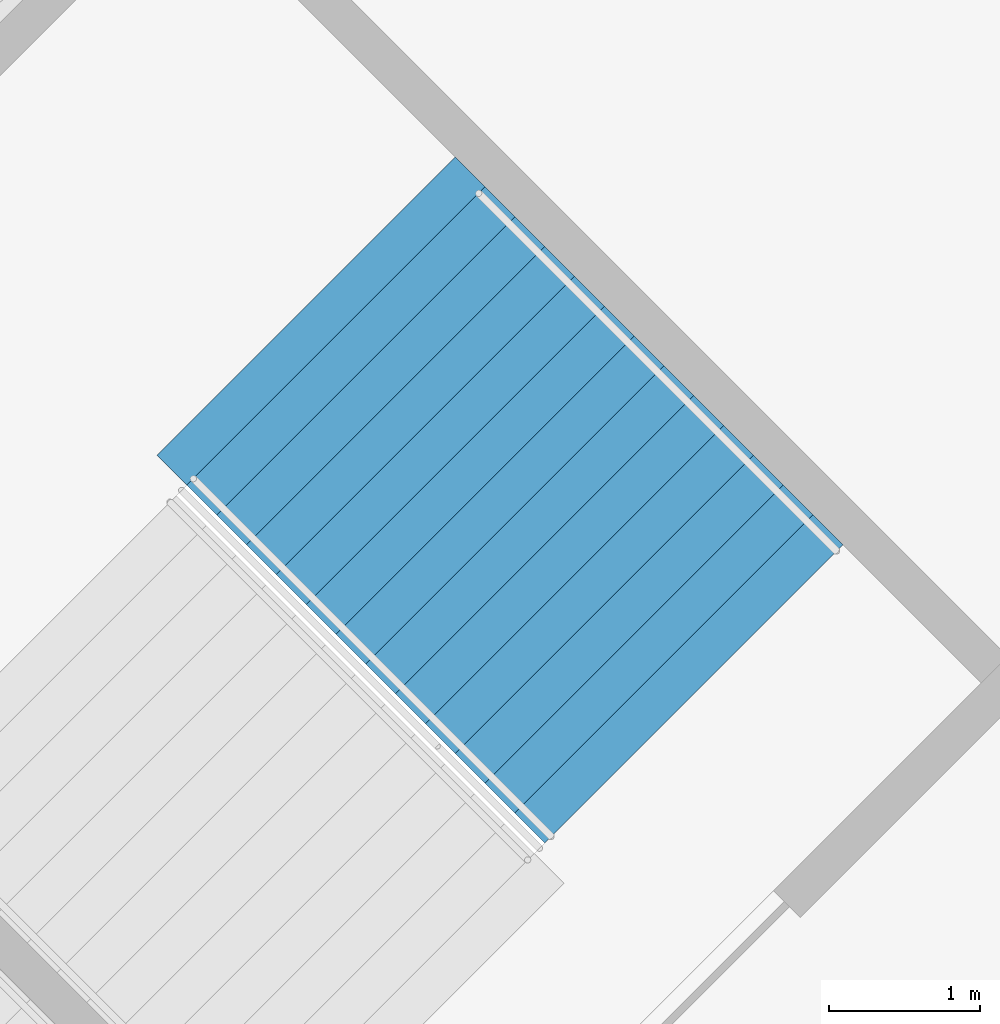
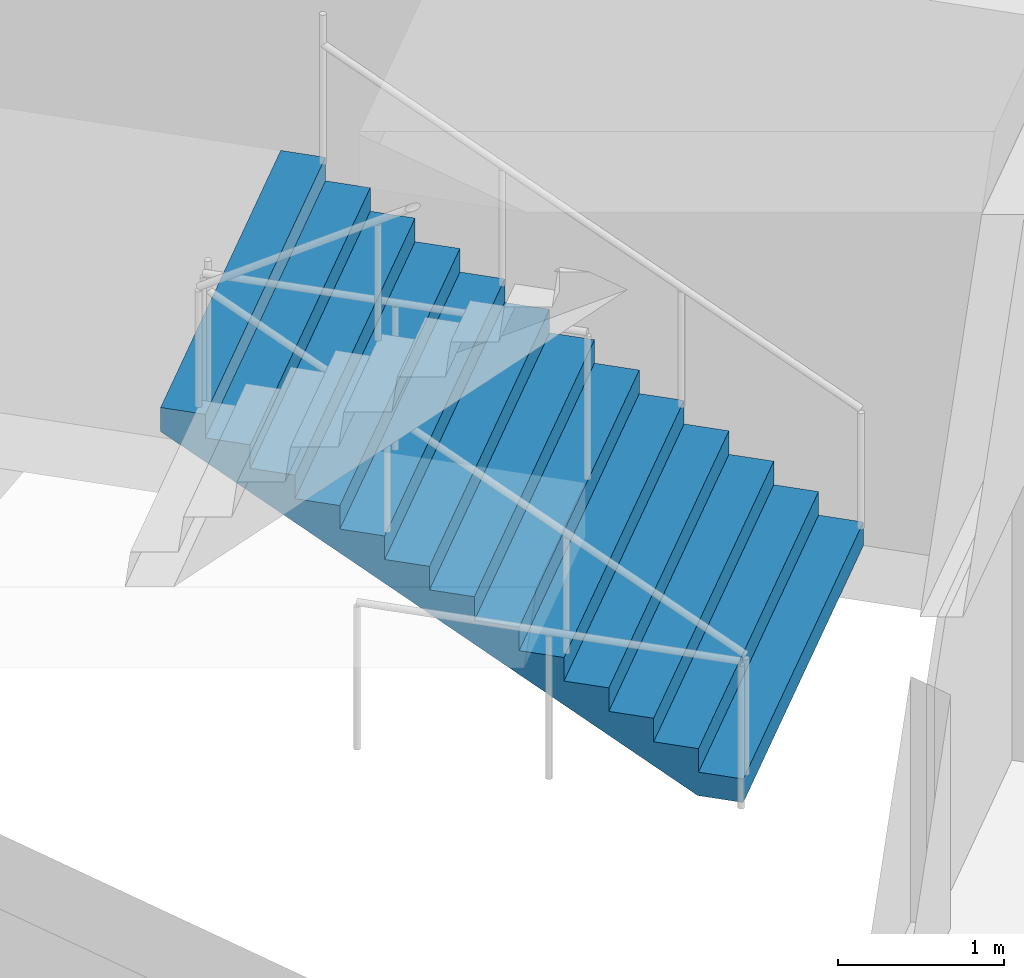
# One storey, part 200 of 249: 1 stair flight, 1 element without a shape of its own.
"""IFC4 building model written with IfcOpenShell, lengths in metres."""

import ifcopenshell
import ifcopenshell.guid

model = None  # the IFC model being written
_history = None  # IfcOwnerHistory: only IFC2X3 demands one
_inside = {}  # id of a spatial element -> (the spatial element, [elements in it])
_under = {}  # id of a project, library or spatial element -> (it, [spatial elements below it])
_declared = {}  # id of a project -> (the project, [libraries it declares])
_typed = {}  # id of a type object -> (the type object, [elements of that type])
_made_of = {}  # id of a material, layer set ... -> (it, [elements and type objects made of it])


def new_model(schema):
    """Start an empty IFC model of exactly this schema.

    Asked for "IFC4X3", IfcOpenShell would pick the latest addendum, in which some entities
    have other attributes; the version numbers below select the first issue.
    IFC2X3 requires an IfcOwnerHistory on every rooted entity: one is made here for all.
    """
    global model, _history
    if schema == "IFC4X3":
        model = ifcopenshell.file(schema_version=(4, 3, 0, 0))
    else:
        model = ifcopenshell.file(schema=schema)
    _inside.clear()
    _under.clear()
    _declared.clear()
    _typed.clear()
    _made_of.clear()
    _history = None
    if model.schema == "IFC2X3":
        org = make("IfcOrganization", Name="unknown")
        user = make(
            "IfcPersonAndOrganization",
            ThePerson=make("IfcPerson", FamilyName="unknown"),
            TheOrganization=org,
        )
        app = make(
            "IfcApplication",
            ApplicationDeveloper=org,
            Version="unknown",
            ApplicationFullName="unknown",
            ApplicationIdentifier="unknown",
        )
        _history = make(
            "IfcOwnerHistory",
            OwningUser=user,
            OwningApplication=app,
            ChangeAction="ADDED",
            CreationDate=0,
        )
    return model


def make(cls, **values):
    """One entity of the class cls with the attributes given. An attribute that is None is left unset."""
    return model.create_entity(
        cls, **{name: value for name, value in values.items() if value is not None}
    )


def rooted(cls, **values):
    """An entity with a GlobalId (a new one), such as an element, a storey or a relation."""
    return make(cls, GlobalId=ifcopenshell.guid.new(), OwnerHistory=_history, **values)


def si_unit(unit_type, name, prefix=None):
    """IfcSIUnit, for example si_unit("LENGTHUNIT", "METRE", prefix="MILLI")."""
    return make("IfcSIUnit", UnitType=unit_type, Prefix=prefix, Name=name)


def assignment(units):
    """IfcUnitAssignment: the units of a project."""
    return None if units is None else make("IfcUnitAssignment", Units=units)


def point(xyz):
    """IfcCartesianPoint."""
    return None if xyz is None else make("IfcCartesianPoint", Coordinates=xyz)


def direction(xyz):
    """IfcDirection."""
    return None if xyz is None else make("IfcDirection", DirectionRatios=xyz)


def frame(location, z_axis=None, x_axis=None):
    """IfcAxis2Placement3D, a coordinate frame: its origin and axes. An axis left out is left unset."""
    return make(
        "IfcAxis2Placement3D",
        Location=point(location),
        Axis=direction(z_axis),
        RefDirection=direction(x_axis),
    )


def origin():
    """The frame at (0, 0, 0) with its axes left unset."""
    return frame((0.0, 0.0, 0.0))


def place(relative_to, where):
    """IfcLocalPlacement: puts the frame where relative to a parent placement (None: the world)."""
    return make(
        "IfcLocalPlacement", PlacementRelTo=relative_to, RelativePlacement=where
    )


def context(
    kind, dimensions, precision=None, world=None, true_north=None, identifier=None
):
    """IfcGeometricRepresentationContext, for example the 3D "Model" context."""
    return make(
        "IfcGeometricRepresentationContext",
        ContextIdentifier=identifier,
        ContextType=kind,
        CoordinateSpaceDimension=dimensions,
        Precision=precision,
        WorldCoordinateSystem=world,
        TrueNorth=true_north,
    )


def subcontext(parent, identifier, kind, view, scale=None):
    """IfcGeometricRepresentationSubContext, for example "Body" below "Model"."""
    return make(
        "IfcGeometricRepresentationSubContext",
        ContextIdentifier=identifier,
        ContextType=kind,
        ParentContext=parent,
        TargetScale=scale,
        TargetView=view,
    )


def project(units=None, contexts=None):
    """IfcProject with its units and contexts."""
    return rooted(
        "IfcProject",
        Name="project",
        RepresentationContexts=contexts,
        UnitsInContext=assignment(units),
    )


def spatial(cls, under=None, at=None, **own):
    """A site, building, storey or space (cls), placed at a placement, below another one or the project."""
    s = rooted(cls, ObjectPlacement=at, **own)
    if under is not None:
        _under.setdefault(under.id(), (under, []))[1].append(s)
    return s


def faces_of(points, faces, orient=None, outer=None):
    """IfcFace entities. A face is a list of loops; a loop is a list of indices into points, from 0.

    orient and outer hold one flag for each loop. By default every Orientation is true, the
    first loop of a face is its IfcFaceOuterBound and the others are IfcFaceBound.
    """
    made = []
    for i, loops in enumerate(faces):
        bounds = []
        for j, loop in enumerate(loops):
            is_outer = j == 0 if outer is None else outer[i][j]
            bounds.append(
                make(
                    "IfcFaceOuterBound" if is_outer else "IfcFaceBound",
                    Bound=make("IfcPolyLoop", Polygon=[points[k] for k in loop]),
                    Orientation=True if orient is None else orient[i][j],
                )
            )
        made.append(make("IfcFace", Bounds=bounds))
    return made


def faceted_brep(points, faces, orient=None, outer=None, voids=None):
    """IfcFacetedBrep: a solid bounded by flat faces; with voids (closed shells), ...WithVoids."""
    shared = [point(p) for p in points]
    hull = make("IfcClosedShell", CfsFaces=faces_of(shared, faces, orient, outer))
    if voids is None:
        return make("IfcFacetedBrep", Outer=hull)
    return make(
        "IfcFacetedBrepWithVoids",
        Outer=hull,
        Voids=[
            make(cls, CfsFaces=faces_of(shared, fs, o, b)) for cls, fs, o, b in voids
        ],
    )


def shape(context_of_items, identifier, shape_type, items):
    """IfcShapeRepresentation: the items that make up one representation, for example the "Body"."""
    return make(
        "IfcShapeRepresentation",
        ContextOfItems=context_of_items,
        RepresentationIdentifier=identifier,
        RepresentationType=shape_type,
        Items=items,
    )


def material(Name=None, Category=None):
    """IfcMaterial."""
    return make("IfcMaterial", Name=Name, Category=Category)


def made_of(thing, what):
    """Note that an element or type object is made of a material, layer set ...; save() writes the relation."""
    if what is not None:
        _made_of.setdefault(what.id(), (what, []))[1].append(thing)
    return thing


def type_object(cls, material=None, **own):
    """A type object (cls), such as IfcWallType, which elements share."""
    return made_of(rooted(cls, **own), material)


def element(
    cls,
    number,
    at=None,
    inside=None,
    cuts=None,
    type_object=None,
    material=None,
    context=None,
    identifier="Body",
    shape_type=None,
    held_by="IfcProductDefinitionShape",
    body=None,
    shapes=None,
    **own,
):
    """One element of the class cls, such as IfcWall. Its Tag is "e" and its number.

    at: its placement. inside: the storey or other place that contains it. cuts: it is an
    opening in that element (IfcRelVoidsElement). A single representation is given by context,
    identifier, shape_type and body (its items); several are given by shapes. held_by: the class
    of the entity that holds the representations. save() writes the other relations.
    """
    e = rooted(cls, Tag="e%d" % number, ObjectPlacement=at, **own)
    if body is not None:
        shapes = [shape(context, identifier, shape_type, body)]
    if shapes is not None:
        e.Representation = make(held_by, Representations=shapes)
    if inside is not None:
        _inside.setdefault(inside.id(), (inside, []))[1].append(e)
    if cuts is not None:
        rooted(
            "IfcRelVoidsElement", RelatingBuildingElement=cuts, RelatedOpeningElement=e
        )
    if type_object is not None:
        _typed.setdefault(type_object.id(), (type_object, []))[1].append(e)
    return made_of(e, material)


def aggregate(whole, parts):
    """IfcRelAggregates: a whole, such as a stair, and the parts it consists of."""
    return rooted("IfcRelAggregates", RelatingObject=whole, RelatedObjects=parts)


def save(model, path):
    """Write the relations noted so far, then the file.

    IfcRelAggregates (storeys below a building ...), IfcRelContainedInSpatialStructure (elements
    in a storey), IfcRelDefinesByType, IfcRelAssociatesMaterial and IfcRelDeclares: one each for
    every whole, place, type object, material and project.
    """
    for whole, parts in _under.values():
        aggregate(whole, parts)
    for where, things in _inside.values():
        rooted(
            "IfcRelContainedInSpatialStructure",
            RelatedElements=things,
            RelatingStructure=where,
        )
    for kind, things in _typed.values():
        rooted("IfcRelDefinesByType", RelatedObjects=things, RelatingType=kind)
    for what, things in _made_of.values():
        rooted("IfcRelAssociatesMaterial", RelatedObjects=things, RelatingMaterial=what)
    for by, libraries in _declared.values():
        rooted("IfcRelDeclares", RelatingContext=by, RelatedDefinitions=libraries)
    model.write(path)


model = new_model("IFC4")

# Units and contexts
model_context = context("Model", 3, precision=1e-05, world=origin(), true_north=direction((0.0, 1.0)))
body_context = subcontext(model_context, "Body", "Model", "MODEL_VIEW")
ifc_project = project(units=[si_unit("LENGTHUNIT", "METRE"), si_unit("AREAUNIT", "SQUARE_METRE"), si_unit("VOLUMEUNIT", "CUBIC_METRE"), si_unit("PLANEANGLEUNIT", "RADIAN"), si_unit("MASSUNIT", "GRAM", prefix="KILO")], contexts=[model_context])

# Site, building, storey
site_placement = place(None, origin())
site = spatial("IfcSite", under=ifc_project, at=site_placement, CompositionType="ELEMENT")
building_placement = place(site_placement, origin())
building = spatial("IfcBuilding", under=site, at=building_placement, Name="Ogive Plaza Stadium", CompositionType="ELEMENT")
storey_placement = place(building_placement, frame((0.0, 0.0, 13.5)))
storey = spatial("IfcBuildingStorey", under=building, at=storey_placement, Name="L03", CompositionType="ELEMENT", Elevation=13.5)

# Stair, stair flight
ifc_material_1 = material(Name="Concrete C40/50", Category="concrete")
stair_type = type_object("IfcStairType", Name="Exit stair", PredefinedType="STRAIGHT_RUN_STAIR", material=ifc_material_1)
stair_placement = place(storey_placement, origin())
stair = element("IfcStair", 1, at=stair_placement, inside=storey, type_object=stair_type, Name="Exit stair ST30A L03 to L04", PredefinedType="STRAIGHT_RUN_STAIR")
ifc_material_2 = material(Name="Concrete C40/50", Category="concrete")
stair_flight_type = type_object("IfcStairFlightType", Name="Exit stair flight", PredefinedType="STRAIGHT", material=ifc_material_2)
stair_flight_placement = place(storey_placement, frame((-60.817138671875, 85.574951171875, 0.0), z_axis=(0.0, 0.0, 1.0), x_axis=(-0.707106781187, 0.707106781187, 0.0)))
stair_flight = element("IfcStairFlight", 2, at=stair_flight_placement, type_object=stair_flight_type, Name="ST30A flight 1", NumberOfRisers=13, NumberOfTreads=12, PredefinedType="STRAIGHT", RiserHeight=0.173076923, TreadLength=0.28, context=body_context, shape_type="Brep", body=[
    faceted_brep([(0.28515625, -1.39990234375, 0.0), (3.639892578125, -1.39990234375, 2.07373046875), (3.639892578125, -1.39990234375, 2.25), (3.360107421875, -1.39990234375, 2.25), (3.360107421875, -1.39990234375, 2.076904296875), (3.080078125, -1.39990234375, 2.076904296875), (3.080078125, -1.39990234375, 1.90380859375), (2.800048828125, -1.39990234375, 1.90380859375), (2.800048828125, -1.39990234375, 1.730712890625), (2.52001953125, -1.39990234375, 1.730712890625), (2.52001953125, -1.39990234375, 1.5576171875), (2.239990234375, -1.39990234375, 1.5576171875), (2.239990234375, -1.39990234375, 1.384521484375), (1.9599609375, -1.39990234375, 1.384521484375), (1.9599609375, -1.39990234375, 1.21142578125), (1.679931640625, -1.39990234375, 1.21142578125), (1.679931640625, -1.39990234375, 1.03857421875), (1.39990234375, -1.39990234375, 1.03857421875), (1.39990234375, -1.39990234375, 0.865478515625), (1.1201171875, -1.39990234375, 0.865478515625), (1.1201171875, -1.39990234375, 0.6923828125), (0.840087890625, -1.39990234375, 0.6923828125), (0.840087890625, -1.39990234375, 0.519287109375), (0.56005859375, -1.39990234375, 0.519287109375), (0.56005859375, -1.39990234375, 0.34619140625), (0.280029296875, -1.39990234375, 0.34619140625), (0.280029296875, -1.39990234375, 0.173095703125), (0.0, -1.39990234375, 0.173095703125), (0.0, -1.39990234375, 0.0), (0.0, 1.39990234375, 0.0), (0.0, 1.39990234375, 0.173095703125), (0.280029296875, 1.39990234375, 0.173095703125), (0.280029296875, 1.39990234375, 0.34619140625), (0.56005859375, 1.39990234375, 0.34619140625), (0.56005859375, 1.39990234375, 0.519287109375), (0.840087890625, 1.39990234375, 0.519287109375), (0.840087890625, 1.39990234375, 0.6923828125), (1.1201171875, 1.39990234375, 0.6923828125), (1.1201171875, 1.39990234375, 0.865478515625), (1.39990234375, 1.39990234375, 0.865478515625), (1.39990234375, 1.39990234375, 1.03857421875), (1.679931640625, 1.39990234375, 1.03857421875), (1.679931640625, 1.39990234375, 1.21142578125), (1.9599609375, 1.39990234375, 1.21142578125), (1.9599609375, 1.39990234375, 1.384521484375), (2.239990234375, 1.39990234375, 1.384521484375), (2.239990234375, 1.39990234375, 1.5576171875), (2.52001953125, 1.39990234375, 1.5576171875), (2.52001953125, 1.39990234375, 1.730712890625), (2.800048828125, 1.39990234375, 1.730712890625), (2.800048828125, 1.39990234375, 1.90380859375), (3.080078125, 1.39990234375, 1.90380859375), (3.080078125, 1.39990234375, 2.076904296875), (3.360107421875, 1.39990234375, 2.076904296875), (3.360107421875, 1.39990234375, 2.25), (3.639892578125, 1.39990234375, 2.25), (3.639892578125, 1.39990234375, 2.07373046875), (0.28515625, 1.39990234375, 0.0), (0.28515625, -1.0888671875, 0.0), (3.639892578125, -1.0888671875, 2.07373046875), (0.28515625, -0.77783203125, 0.0), (3.639892578125, -0.77783203125, 2.07373046875), (0.28515625, -0.466796875, 0.0), (3.639892578125, -0.466796875, 2.07373046875), (0.28515625, -0.155517578125, 0.0), (3.639892578125, -0.155517578125, 2.07373046875), (0.28515625, 0.155517578125, 0.0), (3.639892578125, 0.155517578125, 2.07373046875), (0.28515625, 0.466796875, 0.0), (3.639892578125, 0.466796875, 2.07373046875), (0.28515625, 0.77783203125, 0.0), (3.639892578125, 0.77783203125, 2.07373046875), (0.28515625, 1.0888671875, 0.0), (3.639892578125, 1.0888671875, 2.07373046875), (3.639892578125, -1.0888671875, 2.25), (3.639892578125, -0.77783203125, 2.25), (3.639892578125, -0.466796875, 2.25), (3.639892578125, -0.155517578125, 2.25), (3.639892578125, 0.155517578125, 2.25), (3.639892578125, 0.466796875, 2.25), (3.639892578125, 0.77783203125, 2.25), (3.639892578125, 1.0888671875, 2.25), (3.360107421875, -1.0888671875, 2.25), (3.360107421875, -0.77783203125, 2.25), (3.360107421875, -0.466796875, 2.25), (3.360107421875, -0.155517578125, 2.25), (3.360107421875, 0.155517578125, 2.25), (3.360107421875, 0.466796875, 2.25), (3.360107421875, 0.77783203125, 2.25), (3.360107421875, 1.0888671875, 2.25), (3.360107421875, -1.0888671875, 2.076904296875), (3.360107421875, -0.77783203125, 2.076904296875), (3.360107421875, -0.466796875, 2.076904296875), (3.360107421875, -0.155517578125, 2.076904296875), (3.360107421875, 0.155517578125, 2.076904296875), (3.360107421875, 0.466796875, 2.076904296875), (3.360107421875, 0.77783203125, 2.076904296875), (3.360107421875, 1.0888671875, 2.076904296875), (3.080078125, -1.0888671875, 2.076904296875), (3.080078125, -0.77783203125, 2.076904296875), (3.080078125, -0.466796875, 2.076904296875), (3.080078125, -0.155517578125, 2.076904296875), (3.080078125, 0.155517578125, 2.076904296875), (3.080078125, 0.466796875, 2.076904296875), (3.080078125, 0.77783203125, 2.076904296875), (3.080078125, 1.0888671875, 2.076904296875), (3.080078125, -1.0888671875, 1.90380859375), (3.080078125, -0.77783203125, 1.90380859375), (3.080078125, -0.466796875, 1.90380859375), (3.080078125, -0.155517578125, 1.90380859375), (3.080078125, 0.155517578125, 1.90380859375), (3.080078125, 0.466796875, 1.90380859375), (3.080078125, 0.77783203125, 1.90380859375), (3.080078125, 1.0888671875, 1.90380859375), (2.800048828125, -1.0888671875, 1.90380859375), (2.800048828125, -0.77783203125, 1.90380859375), (2.800048828125, -0.466796875, 1.90380859375), (2.800048828125, -0.155517578125, 1.90380859375), (2.800048828125, 0.155517578125, 1.90380859375), (2.800048828125, 0.466796875, 1.90380859375), (2.800048828125, 0.77783203125, 1.90380859375), (2.800048828125, 1.0888671875, 1.90380859375), (2.800048828125, -1.0888671875, 1.730712890625), (2.800048828125, -0.77783203125, 1.730712890625), (2.800048828125, -0.466796875, 1.730712890625), (2.800048828125, -0.155517578125, 1.730712890625), (2.800048828125, 0.155517578125, 1.730712890625), (2.800048828125, 0.466796875, 1.730712890625), (2.800048828125, 0.77783203125, 1.730712890625), (2.800048828125, 1.0888671875, 1.730712890625), (2.52001953125, -1.0888671875, 1.730712890625), (2.52001953125, -0.77783203125, 1.730712890625), (2.52001953125, -0.466796875, 1.730712890625), (2.52001953125, -0.155517578125, 1.730712890625), (2.52001953125, 0.155517578125, 1.730712890625), (2.52001953125, 0.466796875, 1.730712890625), (2.52001953125, 0.77783203125, 1.730712890625), (2.52001953125, 1.0888671875, 1.730712890625), (2.52001953125, -1.0888671875, 1.5576171875), (2.52001953125, -0.77783203125, 1.5576171875), (2.52001953125, -0.466796875, 1.5576171875), (2.52001953125, -0.155517578125, 1.5576171875), (2.52001953125, 0.155517578125, 1.5576171875), (2.52001953125, 0.466796875, 1.5576171875), (2.52001953125, 0.77783203125, 1.5576171875), (2.52001953125, 1.0888671875, 1.5576171875), (2.239990234375, -1.0888671875, 1.5576171875), (2.239990234375, -0.77783203125, 1.5576171875), (2.239990234375, -0.466796875, 1.5576171875), (2.239990234375, -0.155517578125, 1.5576171875), (2.239990234375, 0.155517578125, 1.5576171875), (2.239990234375, 0.466796875, 1.5576171875), (2.239990234375, 0.77783203125, 1.5576171875), (2.239990234375, 1.0888671875, 1.5576171875), (2.239990234375, -1.0888671875, 1.384521484375), (2.239990234375, -0.77783203125, 1.384521484375), (2.239990234375, -0.466796875, 1.384521484375), (2.239990234375, -0.155517578125, 1.384521484375), (2.239990234375, 0.155517578125, 1.384521484375), (2.239990234375, 0.466796875, 1.384521484375), (2.239990234375, 0.77783203125, 1.384521484375), (2.239990234375, 1.0888671875, 1.384521484375), (1.9599609375, -1.0888671875, 1.384521484375), (1.9599609375, -0.77783203125, 1.384521484375), (1.9599609375, -0.466796875, 1.384521484375), (1.9599609375, -0.155517578125, 1.384521484375), (1.9599609375, 0.155517578125, 1.384521484375), (1.9599609375, 0.466796875, 1.384521484375), (1.9599609375, 0.77783203125, 1.384521484375), (1.9599609375, 1.0888671875, 1.384521484375), (1.9599609375, -1.0888671875, 1.21142578125), (1.9599609375, -0.77783203125, 1.21142578125), (1.9599609375, -0.466796875, 1.21142578125), (1.9599609375, -0.155517578125, 1.21142578125), (1.9599609375, 0.155517578125, 1.21142578125), (1.9599609375, 0.466796875, 1.21142578125), (1.9599609375, 0.77783203125, 1.21142578125), (1.9599609375, 1.0888671875, 1.21142578125), (1.679931640625, -1.0888671875, 1.21142578125), (1.679931640625, -0.77783203125, 1.21142578125), (1.679931640625, -0.466796875, 1.21142578125), (1.679931640625, -0.155517578125, 1.21142578125), (1.679931640625, 0.155517578125, 1.21142578125), (1.679931640625, 0.466796875, 1.21142578125), (1.679931640625, 0.77783203125, 1.21142578125), (1.679931640625, 1.0888671875, 1.21142578125), (1.679931640625, -1.0888671875, 1.03857421875), (1.679931640625, -0.77783203125, 1.03857421875), (1.679931640625, -0.466796875, 1.03857421875), (1.679931640625, -0.155517578125, 1.03857421875), (1.679931640625, 0.155517578125, 1.03857421875), (1.679931640625, 0.466796875, 1.03857421875), (1.679931640625, 0.77783203125, 1.03857421875), (1.679931640625, 1.0888671875, 1.03857421875), (1.39990234375, -1.0888671875, 1.03857421875), (1.39990234375, -0.77783203125, 1.03857421875), (1.39990234375, -0.466796875, 1.03857421875), (1.39990234375, -0.155517578125, 1.03857421875), (1.39990234375, 0.155517578125, 1.03857421875), (1.39990234375, 0.466796875, 1.03857421875), (1.39990234375, 0.77783203125, 1.03857421875), (1.39990234375, 1.0888671875, 1.03857421875), (1.39990234375, -1.0888671875, 0.865478515625), (1.39990234375, -0.77783203125, 0.865478515625), (1.39990234375, -0.466796875, 0.865478515625), (1.39990234375, -0.155517578125, 0.865478515625), (1.39990234375, 0.155517578125, 0.865478515625), (1.39990234375, 0.466796875, 0.865478515625), (1.39990234375, 0.77783203125, 0.865478515625), (1.39990234375, 1.0888671875, 0.865478515625), (1.1201171875, -1.0888671875, 0.865478515625), (1.1201171875, -0.77783203125, 0.865478515625), (1.1201171875, -0.466796875, 0.865478515625), (1.1201171875, -0.155517578125, 0.865478515625), (1.1201171875, 0.155517578125, 0.865478515625), (1.1201171875, 0.466796875, 0.865478515625), (1.1201171875, 0.77783203125, 0.865478515625), (1.1201171875, 1.0888671875, 0.865478515625), (1.1201171875, -1.0888671875, 0.6923828125), (1.1201171875, -0.77783203125, 0.6923828125), (1.1201171875, -0.466796875, 0.6923828125), (1.1201171875, -0.155517578125, 0.6923828125), (1.1201171875, 0.155517578125, 0.6923828125), (1.1201171875, 0.466796875, 0.6923828125), (1.1201171875, 0.77783203125, 0.6923828125), (1.1201171875, 1.0888671875, 0.6923828125), (0.840087890625, -1.0888671875, 0.6923828125), (0.840087890625, -0.77783203125, 0.6923828125), (0.840087890625, -0.466796875, 0.6923828125), (0.840087890625, -0.155517578125, 0.6923828125), (0.840087890625, 0.155517578125, 0.6923828125), (0.840087890625, 0.466796875, 0.6923828125), (0.840087890625, 0.77783203125, 0.6923828125), (0.840087890625, 1.0888671875, 0.6923828125), (0.840087890625, -1.0888671875, 0.519287109375), (0.840087890625, -0.77783203125, 0.519287109375), (0.840087890625, -0.466796875, 0.519287109375), (0.840087890625, -0.155517578125, 0.519287109375), (0.840087890625, 0.155517578125, 0.519287109375), (0.840087890625, 0.466796875, 0.519287109375), (0.840087890625, 0.77783203125, 0.519287109375), (0.840087890625, 1.0888671875, 0.519287109375), (0.56005859375, -1.0888671875, 0.519287109375), (0.56005859375, -0.77783203125, 0.519287109375), (0.56005859375, -0.466796875, 0.519287109375), (0.56005859375, -0.155517578125, 0.519287109375), (0.56005859375, 0.155517578125, 0.519287109375), (0.56005859375, 0.466796875, 0.519287109375), (0.56005859375, 0.77783203125, 0.519287109375), (0.56005859375, 1.0888671875, 0.519287109375), (0.56005859375, -1.0888671875, 0.34619140625), (0.56005859375, -0.77783203125, 0.34619140625), (0.56005859375, -0.466796875, 0.34619140625), (0.56005859375, -0.155517578125, 0.34619140625), (0.56005859375, 0.155517578125, 0.34619140625), (0.56005859375, 0.466796875, 0.34619140625), (0.56005859375, 0.77783203125, 0.34619140625), (0.56005859375, 1.0888671875, 0.34619140625), (0.280029296875, -1.0888671875, 0.34619140625), (0.280029296875, -0.77783203125, 0.34619140625), (0.280029296875, -0.466796875, 0.34619140625), (0.280029296875, -0.155517578125, 0.34619140625), (0.280029296875, 0.155517578125, 0.34619140625), (0.280029296875, 0.466796875, 0.34619140625), (0.280029296875, 0.77783203125, 0.34619140625), (0.280029296875, 1.0888671875, 0.34619140625), (0.280029296875, -1.0888671875, 0.173095703125), (0.280029296875, -0.77783203125, 0.173095703125), (0.280029296875, -0.466796875, 0.173095703125), (0.280029296875, -0.155517578125, 0.173095703125), (0.280029296875, 0.155517578125, 0.173095703125), (0.280029296875, 0.466796875, 0.173095703125), (0.280029296875, 0.77783203125, 0.173095703125), (0.280029296875, 1.0888671875, 0.173095703125), (0.0, -1.0888671875, 0.173095703125), (0.0, -0.77783203125, 0.173095703125), (0.0, -0.466796875, 0.173095703125), (0.0, -0.155517578125, 0.173095703125), (0.0, 0.155517578125, 0.173095703125), (0.0, 0.466796875, 0.173095703125), (0.0, 0.77783203125, 0.173095703125), (0.0, 1.0888671875, 0.173095703125), (0.0, -1.0888671875, 0.0), (0.0, -0.77783203125, 0.0), (0.0, -0.466796875, 0.0), (0.0, -0.155517578125, 0.0), (0.0, 0.155517578125, 0.0), (0.0, 0.466796875, 0.0), (0.0, 0.77783203125, 0.0), (0.0, 1.0888671875, 0.0)], [[[0, 1, 2, 3, 4, 5, 6, 7, 8, 9, 10, 11, 12, 13, 14, 15, 16, 17, 18, 19, 20, 21, 22, 23, 24, 25, 26, 27, 28]], [[29, 30, 31, 32, 33, 34, 35, 36, 37, 38, 39, 40, 41, 42, 43, 44, 45, 46, 47, 48, 49, 50, 51, 52, 53, 54, 55, 56, 57]], [[0, 58, 59, 1]], [[58, 60, 61, 59]], [[60, 62, 63, 61]], [[62, 64, 65, 63]], [[64, 66, 67, 65]], [[66, 68, 69, 67]], [[68, 70, 71, 69]], [[70, 72, 73, 71]], [[72, 57, 56, 73]], [[1, 59, 74, 2]], [[59, 61, 75, 74]], [[61, 63, 76, 75]], [[63, 65, 77, 76]], [[65, 67, 78, 77]], [[67, 69, 79, 78]], [[69, 71, 80, 79]], [[71, 73, 81, 80]], [[73, 56, 55, 81]], [[2, 74, 82, 3]], [[74, 75, 83, 82]], [[75, 76, 84, 83]], [[76, 77, 85, 84]], [[77, 78, 86, 85]], [[78, 79, 87, 86]], [[79, 80, 88, 87]], [[80, 81, 89, 88]], [[81, 55, 54, 89]], [[3, 82, 90, 4]], [[82, 83, 91, 90]], [[83, 84, 92, 91]], [[84, 85, 93, 92]], [[85, 86, 94, 93]], [[86, 87, 95, 94]], [[87, 88, 96, 95]], [[88, 89, 97, 96]], [[89, 54, 53, 97]], [[4, 90, 98, 5]], [[90, 91, 99, 98]], [[91, 92, 100, 99]], [[92, 93, 101, 100]], [[93, 94, 102, 101]], [[94, 95, 103, 102]], [[95, 96, 104, 103]], [[96, 97, 105, 104]], [[97, 53, 52, 105]], [[5, 98, 106, 6]], [[98, 99, 107, 106]], [[99, 100, 108, 107]], [[100, 101, 109, 108]], [[101, 102, 110, 109]], [[102, 103, 111, 110]], [[103, 104, 112, 111]], [[104, 105, 113, 112]], [[105, 52, 51, 113]], [[6, 106, 114, 7]], [[106, 107, 115, 114]], [[107, 108, 116, 115]], [[108, 109, 117, 116]], [[109, 110, 118, 117]], [[110, 111, 119, 118]], [[111, 112, 120, 119]], [[112, 113, 121, 120]], [[113, 51, 50, 121]], [[7, 114, 122, 8]], [[114, 115, 123, 122]], [[115, 116, 124, 123]], [[116, 117, 125, 124]], [[117, 118, 126, 125]], [[118, 119, 127, 126]], [[119, 120, 128, 127]], [[120, 121, 129, 128]], [[121, 50, 49, 129]], [[8, 122, 130, 9]], [[122, 123, 131, 130]], [[123, 124, 132, 131]], [[124, 125, 133, 132]], [[125, 126, 134, 133]], [[126, 127, 135, 134]], [[127, 128, 136, 135]], [[128, 129, 137, 136]], [[129, 49, 48, 137]], [[9, 130, 138, 10]], [[130, 131, 139, 138]], [[131, 132, 140, 139]], [[132, 133, 141, 140]], [[133, 134, 142, 141]], [[134, 135, 143, 142]], [[135, 136, 144, 143]], [[136, 137, 145, 144]], [[137, 48, 47, 145]], [[10, 138, 146, 11]], [[138, 139, 147, 146]], [[139, 140, 148, 147]], [[140, 141, 149, 148]], [[141, 142, 150, 149]], [[142, 143, 151, 150]], [[143, 144, 152, 151]], [[144, 145, 153, 152]], [[145, 47, 46, 153]], [[11, 146, 154, 12]], [[146, 147, 155, 154]], [[147, 148, 156, 155]], [[148, 149, 157, 156]], [[149, 150, 158, 157]], [[150, 151, 159, 158]], [[151, 152, 160, 159]], [[152, 153, 161, 160]], [[153, 46, 45, 161]], [[12, 154, 162, 13]], [[154, 155, 163, 162]], [[155, 156, 164, 163]], [[156, 157, 165, 164]], [[157, 158, 166, 165]], [[158, 159, 167, 166]], [[159, 160, 168, 167]], [[160, 161, 169, 168]], [[161, 45, 44, 169]], [[13, 162, 170, 14]], [[162, 163, 171, 170]], [[163, 164, 172, 171]], [[164, 165, 173, 172]], [[165, 166, 174, 173]], [[166, 167, 175, 174]], [[167, 168, 176, 175]], [[168, 169, 177, 176]], [[169, 44, 43, 177]], [[14, 170, 178, 15]], [[170, 171, 179, 178]], [[171, 172, 180, 179]], [[172, 173, 181, 180]], [[173, 174, 182, 181]], [[174, 175, 183, 182]], [[175, 176, 184, 183]], [[176, 177, 185, 184]], [[177, 43, 42, 185]], [[15, 178, 186, 16]], [[178, 179, 187, 186]], [[179, 180, 188, 187]], [[180, 181, 189, 188]], [[181, 182, 190, 189]], [[182, 183, 191, 190]], [[183, 184, 192, 191]], [[184, 185, 193, 192]], [[185, 42, 41, 193]], [[16, 186, 194, 17]], [[186, 187, 195, 194]], [[187, 188, 196, 195]], [[188, 189, 197, 196]], [[189, 190, 198, 197]], [[190, 191, 199, 198]], [[191, 192, 200, 199]], [[192, 193, 201, 200]], [[193, 41, 40, 201]], [[17, 194, 202, 18]], [[194, 195, 203, 202]], [[195, 196, 204, 203]], [[196, 197, 205, 204]], [[197, 198, 206, 205]], [[198, 199, 207, 206]], [[199, 200, 208, 207]], [[200, 201, 209, 208]], [[201, 40, 39, 209]], [[18, 202, 210, 19]], [[202, 203, 211, 210]], [[203, 204, 212, 211]], [[204, 205, 213, 212]], [[205, 206, 214, 213]], [[206, 207, 215, 214]], [[207, 208, 216, 215]], [[208, 209, 217, 216]], [[209, 39, 38, 217]], [[19, 210, 218, 20]], [[210, 211, 219, 218]], [[211, 212, 220, 219]], [[212, 213, 221, 220]], [[213, 214, 222, 221]], [[214, 215, 223, 222]], [[215, 216, 224, 223]], [[216, 217, 225, 224]], [[217, 38, 37, 225]], [[20, 218, 226, 21]], [[218, 219, 227, 226]], [[219, 220, 228, 227]], [[220, 221, 229, 228]], [[221, 222, 230, 229]], [[222, 223, 231, 230]], [[223, 224, 232, 231]], [[224, 225, 233, 232]], [[225, 37, 36, 233]], [[21, 226, 234, 22]], [[226, 227, 235, 234]], [[227, 228, 236, 235]], [[228, 229, 237, 236]], [[229, 230, 238, 237]], [[230, 231, 239, 238]], [[231, 232, 240, 239]], [[232, 233, 241, 240]], [[233, 36, 35, 241]], [[22, 234, 242, 23]], [[234, 235, 243, 242]], [[235, 236, 244, 243]], [[236, 237, 245, 244]], [[237, 238, 246, 245]], [[238, 239, 247, 246]], [[239, 240, 248, 247]], [[240, 241, 249, 248]], [[241, 35, 34, 249]], [[23, 242, 250, 24]], [[242, 243, 251, 250]], [[243, 244, 252, 251]], [[244, 245, 253, 252]], [[245, 246, 254, 253]], [[246, 247, 255, 254]], [[247, 248, 256, 255]], [[248, 249, 257, 256]], [[249, 34, 33, 257]], [[24, 250, 258, 25]], [[250, 251, 259, 258]], [[251, 252, 260, 259]], [[252, 253, 261, 260]], [[253, 254, 262, 261]], [[254, 255, 263, 262]], [[255, 256, 264, 263]], [[256, 257, 265, 264]], [[257, 33, 32, 265]], [[25, 258, 266, 26]], [[258, 259, 267, 266]], [[259, 260, 268, 267]], [[260, 261, 269, 268]], [[261, 262, 270, 269]], [[262, 263, 271, 270]], [[263, 264, 272, 271]], [[264, 265, 273, 272]], [[265, 32, 31, 273]], [[26, 266, 274, 27]], [[266, 267, 275, 274]], [[267, 268, 276, 275]], [[268, 269, 277, 276]], [[269, 270, 278, 277]], [[270, 271, 279, 278]], [[271, 272, 280, 279]], [[272, 273, 281, 280]], [[273, 31, 30, 281]], [[27, 274, 282, 28]], [[274, 275, 283, 282]], [[275, 276, 284, 283]], [[276, 277, 285, 284]], [[277, 278, 286, 285]], [[278, 279, 287, 286]], [[279, 280, 288, 287]], [[280, 281, 289, 288]], [[281, 30, 29, 289]], [[28, 282, 58, 0]], [[282, 283, 60, 58]], [[283, 284, 62, 60]], [[284, 285, 64, 62]], [[285, 286, 66, 64]], [[286, 287, 68, 66]], [[287, 288, 70, 68]], [[288, 289, 72, 70]], [[289, 29, 57, 72]]]),
])
aggregate(stair, [stair_flight])

save(model, "model.ifc")
